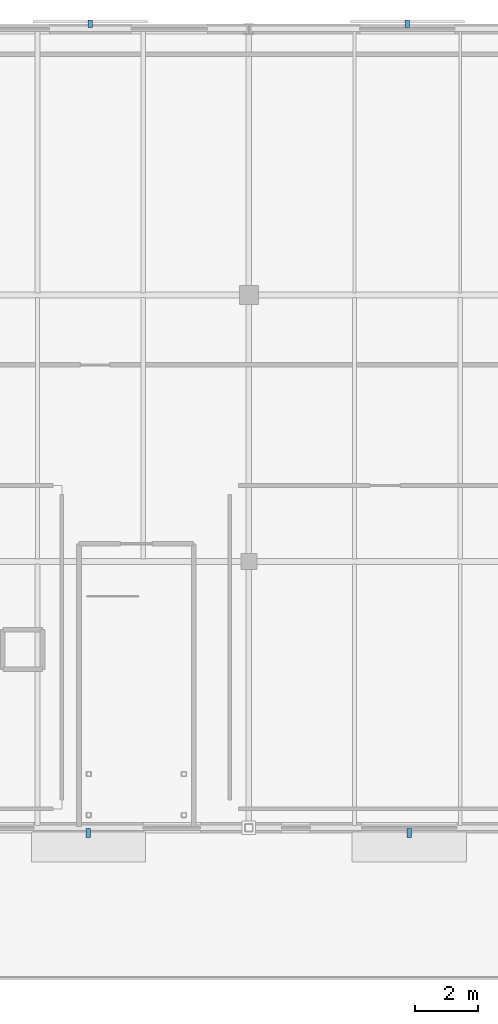
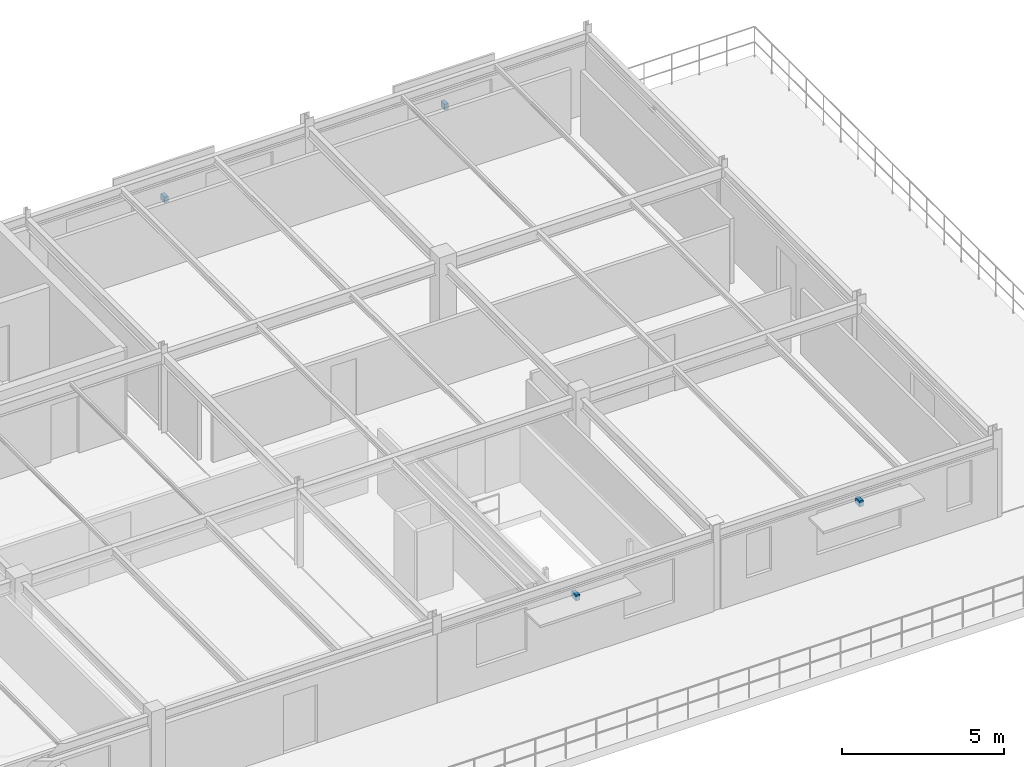
# One storey, part 20 of 23: 4 discrete accessories.
"""IFC4 building model written with IfcOpenShell, lengths in metres."""

from ifc_helpers import new_model, si_unit, derived_unit, direction, frame, origin, origin_2d_with_axis, place, context, subcontext, project, spatial, rectangle, extrude, material, type_object, element, save


model = new_model("IFC4")

# Units and contexts
model_context = context("Model", 3, precision=1e-05, world=origin(), true_north=direction((0.0, 1.0)))
body_context = subcontext(model_context, "Body", "Model", "MODEL_VIEW")
ifc_project = project(units=[si_unit("LENGTHUNIT", "METRE"), si_unit("AREAUNIT", "SQUARE_METRE"), si_unit("VOLUMEUNIT", "CUBIC_METRE"), si_unit("PLANEANGLEUNIT", "RADIAN"), si_unit("MASSUNIT", "GRAM", prefix="KILO"), derived_unit("THERMALTRANSMITTANCEUNIT", [(si_unit("POWERUNIT", "WATT"), 1), (si_unit("LENGTHUNIT", "METRE"), -2), (si_unit("THERMODYNAMICTEMPERATUREUNIT", "KELVIN"), -1)])], contexts=[model_context])

# Site, building, storey
site_placement = place(None, origin())
site = spatial("IfcSite", under=ifc_project, at=site_placement, CompositionType="ELEMENT")
building_placement = place(site_placement, origin())
building = spatial("IfcBuilding", under=site, at=building_placement, Name="Cinnabar Yard Market Hall", CompositionType="ELEMENT")
storey_placement = place(building_placement, frame((0.0, 0.0, 12.0)))
storey = spatial("IfcBuildingStorey", under=building, at=storey_placement, Name="L03", CompositionType="ELEMENT", Elevation=12.0)

# Discrete accessories
ifc_material = material(Name="Galvanised steel Grade 350 (350 MPa)", Category="steel")
discrete_accessory_type = type_object("IfcDiscreteAccessoryType", Name="ACC-BRK1", PredefinedType="BRACKET", material=ifc_material)
discrete_accessory_1_placement = place(storey_placement, frame((140.939697265625, 112.639892578125, 2.22998046875), z_axis=(0.0, 0.0, 1.0), x_axis=(1.0, 0.0, 0.0)))
element("IfcDiscreteAccessory", 1, at=discrete_accessory_1_placement, inside=storey, type_object=discrete_accessory_type, Name="Chhajja Bracket V3S-L03-7", PredefinedType="BRACKET", context=body_context, shape_type="SweptSolid", body=[
    extrude(rectangle(XDim=0.139892578125, YDim=0.280029296875, at=origin_2d_with_axis()), origin(), (0.0, 0.0, 1.0), 0.219970703125),
])
discrete_accessory_2_placement = place(storey_placement, frame((140.9990234375, 138.159912109375, 1.740234375), z_axis=(0.0, 0.0, 1.0), x_axis=(1.0, 0.0, 0.0)))
element("IfcDiscreteAccessory", 2, at=discrete_accessory_2_placement, inside=storey, type_object=discrete_accessory_type, Name="Jali Bracket V3N-L03-7", PredefinedType="BRACKET", context=body_context, shape_type="SweptSolid", body=[
    extrude(rectangle(XDim=0.139892578125, YDim=0.239990234375, at=origin_2d_with_axis()), origin(), (0.0, 0.0, 1.0), 0.219970703125),
])
discrete_accessory_3_placement = place(storey_placement, frame((151.060302734375, 112.639892578125, 2.22998046875), z_axis=(0.0, 0.0, 1.0), x_axis=(1.0, 0.0, 0.0)))
element("IfcDiscreteAccessory", 3, at=discrete_accessory_3_placement, inside=storey, type_object=discrete_accessory_type, Name="Chhajja Bracket V3S-L03-8", PredefinedType="BRACKET", context=body_context, shape_type="SweptSolid", body=[
    extrude(rectangle(XDim=0.139892578125, YDim=0.280029296875, at=origin_2d_with_axis()), origin(), (0.0, 0.0, 1.0), 0.219970703125),
])
discrete_accessory_4_placement = place(storey_placement, frame((151.0009765625, 138.159912109375, 1.740234375), z_axis=(0.0, 0.0, 1.0), x_axis=(1.0, 0.0, 0.0)))
element("IfcDiscreteAccessory", 4, at=discrete_accessory_4_placement, inside=storey, type_object=discrete_accessory_type, Name="Jali Bracket V3N-L03-8", PredefinedType="BRACKET", context=body_context, shape_type="SweptSolid", body=[
    extrude(rectangle(XDim=0.139892578125, YDim=0.239990234375, at=origin_2d_with_axis()), origin(), (0.0, 0.0, 1.0), 0.219970703125),
])

save(model, "model.ifc")
